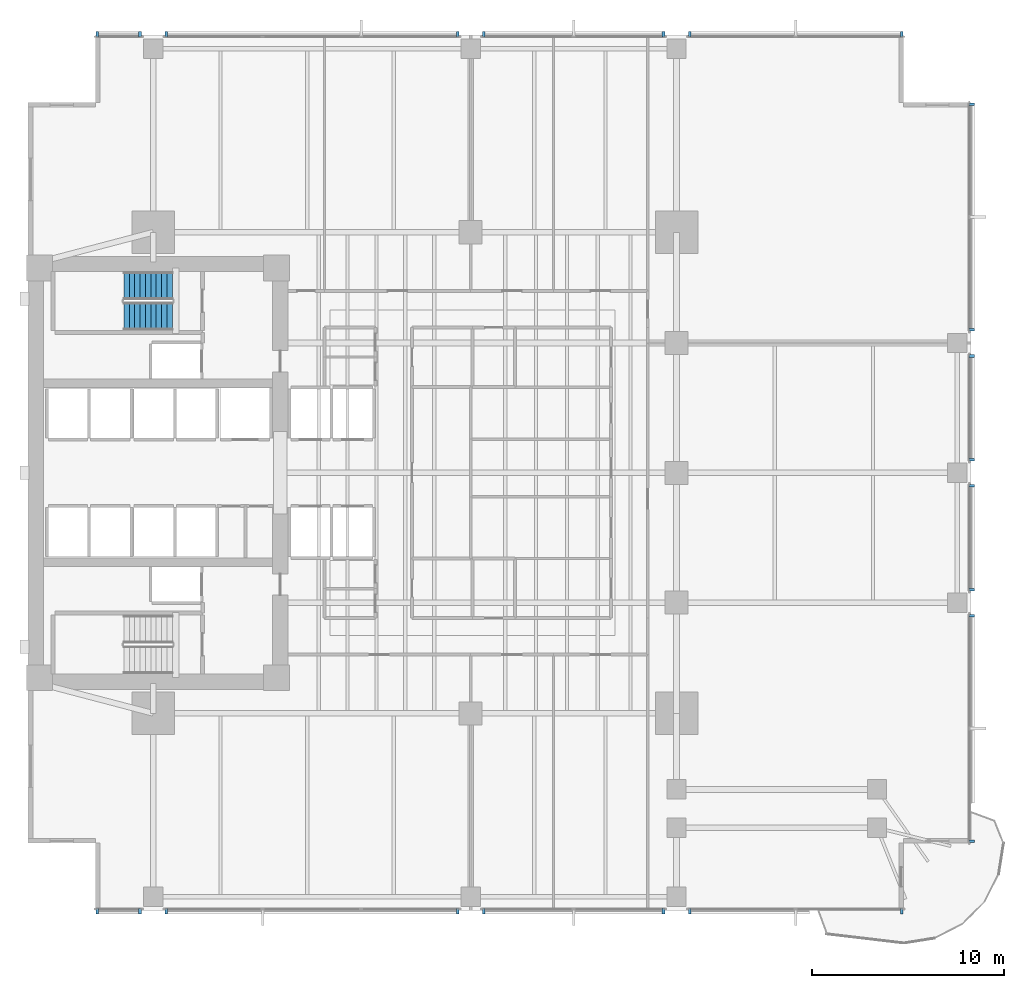
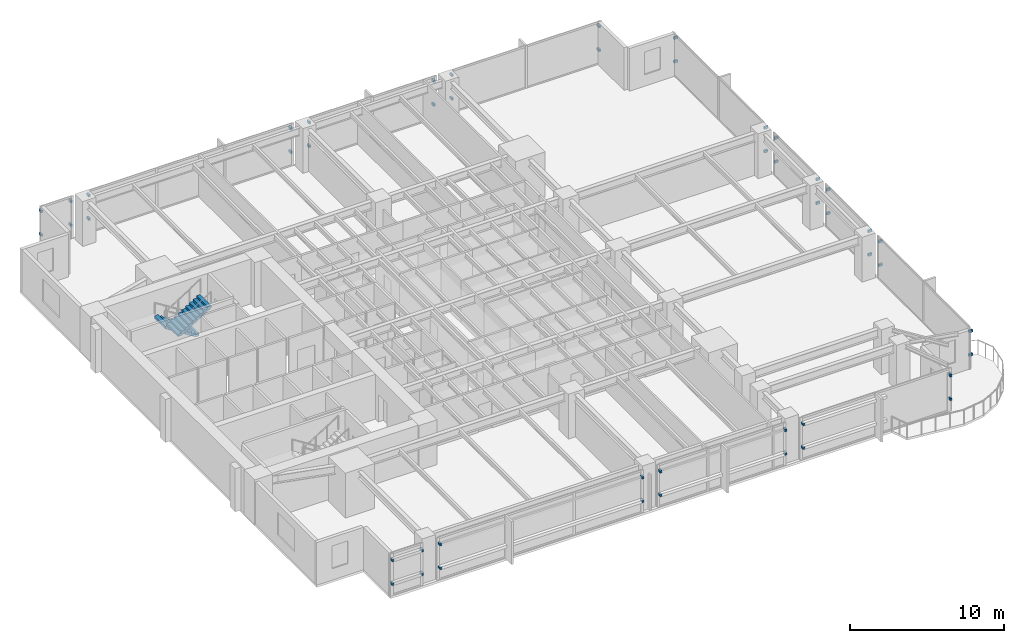
# One storey, part 11 of 15: 48 discrete accessories, 2 stair flights, 1 element without a shape of its own.
"""IFC4 building model written with IfcOpenShell, lengths in metres."""

import ifcopenshell
import ifcopenshell.guid

model = None  # the IFC model being written
_history = None  # IfcOwnerHistory: only IFC2X3 demands one
_inside = {}  # id of a spatial element -> (the spatial element, [elements in it])
_under = {}  # id of a project, library or spatial element -> (it, [spatial elements below it])
_declared = {}  # id of a project -> (the project, [libraries it declares])
_typed = {}  # id of a type object -> (the type object, [elements of that type])
_made_of = {}  # id of a material, layer set ... -> (it, [elements and type objects made of it])


def new_model(schema):
    """Start an empty IFC model of exactly this schema.

    Asked for "IFC4X3", IfcOpenShell would pick the latest addendum, in which some entities
    have other attributes; the version numbers below select the first issue.
    IFC2X3 requires an IfcOwnerHistory on every rooted entity: one is made here for all.
    """
    global model, _history
    if schema == "IFC4X3":
        model = ifcopenshell.file(schema_version=(4, 3, 0, 0))
    else:
        model = ifcopenshell.file(schema=schema)
    _inside.clear()
    _under.clear()
    _declared.clear()
    _typed.clear()
    _made_of.clear()
    _history = None
    if model.schema == "IFC2X3":
        org = make("IfcOrganization", Name="unknown")
        user = make(
            "IfcPersonAndOrganization",
            ThePerson=make("IfcPerson", FamilyName="unknown"),
            TheOrganization=org,
        )
        app = make(
            "IfcApplication",
            ApplicationDeveloper=org,
            Version="unknown",
            ApplicationFullName="unknown",
            ApplicationIdentifier="unknown",
        )
        _history = make(
            "IfcOwnerHistory",
            OwningUser=user,
            OwningApplication=app,
            ChangeAction="ADDED",
            CreationDate=0,
        )
    return model


def make(cls, **values):
    """One entity of the class cls with the attributes given. An attribute that is None is left unset."""
    return model.create_entity(
        cls, **{name: value for name, value in values.items() if value is not None}
    )


def rooted(cls, **values):
    """An entity with a GlobalId (a new one), such as an element, a storey or a relation."""
    return make(cls, GlobalId=ifcopenshell.guid.new(), OwnerHistory=_history, **values)


def si_unit(unit_type, name, prefix=None):
    """IfcSIUnit, for example si_unit("LENGTHUNIT", "METRE", prefix="MILLI")."""
    return make("IfcSIUnit", UnitType=unit_type, Prefix=prefix, Name=name)


def assignment(units):
    """IfcUnitAssignment: the units of a project."""
    return None if units is None else make("IfcUnitAssignment", Units=units)


def point(xyz):
    """IfcCartesianPoint."""
    return None if xyz is None else make("IfcCartesianPoint", Coordinates=xyz)


def direction(xyz):
    """IfcDirection."""
    return None if xyz is None else make("IfcDirection", DirectionRatios=xyz)


def frame(location, z_axis=None, x_axis=None):
    """IfcAxis2Placement3D, a coordinate frame: its origin and axes. An axis left out is left unset."""
    return make(
        "IfcAxis2Placement3D",
        Location=point(location),
        Axis=direction(z_axis),
        RefDirection=direction(x_axis),
    )


def frame_2d(location, x_axis=None):
    """IfcAxis2Placement2D, a coordinate frame in the plane: its origin and x axis."""
    return make(
        "IfcAxis2Placement2D", Location=point(location), RefDirection=direction(x_axis)
    )


def origin():
    """The frame at (0, 0, 0) with its axes left unset."""
    return frame((0.0, 0.0, 0.0))


def origin_2d():
    """The frame at (0, 0) in the plane with its x axis left unset."""
    return frame_2d((0.0, 0.0))


def place(relative_to, where):
    """IfcLocalPlacement: puts the frame where relative to a parent placement (None: the world)."""
    return make(
        "IfcLocalPlacement", PlacementRelTo=relative_to, RelativePlacement=where
    )


def context(
    kind, dimensions, precision=None, world=None, true_north=None, identifier=None
):
    """IfcGeometricRepresentationContext, for example the 3D "Model" context."""
    return make(
        "IfcGeometricRepresentationContext",
        ContextIdentifier=identifier,
        ContextType=kind,
        CoordinateSpaceDimension=dimensions,
        Precision=precision,
        WorldCoordinateSystem=world,
        TrueNorth=true_north,
    )


def subcontext(parent, identifier, kind, view, scale=None):
    """IfcGeometricRepresentationSubContext, for example "Body" below "Model"."""
    return make(
        "IfcGeometricRepresentationSubContext",
        ContextIdentifier=identifier,
        ContextType=kind,
        ParentContext=parent,
        TargetScale=scale,
        TargetView=view,
    )


def project(units=None, contexts=None):
    """IfcProject with its units and contexts."""
    return rooted(
        "IfcProject",
        Name="project",
        RepresentationContexts=contexts,
        UnitsInContext=assignment(units),
    )


def spatial(cls, under=None, at=None, **own):
    """A site, building, storey or space (cls), placed at a placement, below another one or the project."""
    s = rooted(cls, ObjectPlacement=at, **own)
    if under is not None:
        _under.setdefault(under.id(), (under, []))[1].append(s)
    return s


def polyline(points):
    """IfcPolyline through the points."""
    return make("IfcPolyline", Points=[point(p) for p in points])


def profile(cls, at=None, kind="AREA", **sizes):
    """A parametric profile (cls). Its sizes go by their IFC names, for example OverallWidth=200.0."""
    return make(cls, ProfileType=kind, Position=at, **sizes)


def rectangle(**sizes):
    """IfcRectangleProfileDef."""
    return profile("IfcRectangleProfileDef", **sizes)


def outline(outer, holes=None, kind="AREA"):
    """IfcArbitraryClosedProfileDef: a profile drawn as a closed curve; with holes, ...WithVoids."""
    if holes is None:
        return make("IfcArbitraryClosedProfileDef", ProfileType=kind, OuterCurve=outer)
    return make(
        "IfcArbitraryProfileDefWithVoids",
        ProfileType=kind,
        OuterCurve=outer,
        InnerCurves=holes,
    )


def extrude(swept, where, along, depth):
    """IfcExtrudedAreaSolid: the profile swept, set in the frame where, extruded along a direction by depth."""
    return make(
        "IfcExtrudedAreaSolid",
        SweptArea=swept,
        Position=where,
        ExtrudedDirection=direction(along),
        Depth=depth,
    )


def shape(context_of_items, identifier, shape_type, items):
    """IfcShapeRepresentation: the items that make up one representation, for example the "Body"."""
    return make(
        "IfcShapeRepresentation",
        ContextOfItems=context_of_items,
        RepresentationIdentifier=identifier,
        RepresentationType=shape_type,
        Items=items,
    )


def material(Name=None, Category=None):
    """IfcMaterial."""
    return make("IfcMaterial", Name=Name, Category=Category)


def made_of(thing, what):
    """Note that an element or type object is made of a material, layer set ...; save() writes the relation."""
    if what is not None:
        _made_of.setdefault(what.id(), (what, []))[1].append(thing)
    return thing


def type_object(cls, material=None, **own):
    """A type object (cls), such as IfcWallType, which elements share."""
    return made_of(rooted(cls, **own), material)


def element(
    cls,
    number,
    at=None,
    inside=None,
    cuts=None,
    type_object=None,
    material=None,
    context=None,
    identifier="Body",
    shape_type=None,
    held_by="IfcProductDefinitionShape",
    body=None,
    shapes=None,
    **own,
):
    """One element of the class cls, such as IfcWall. Its Tag is "e" and its number.

    at: its placement. inside: the storey or other place that contains it. cuts: it is an
    opening in that element (IfcRelVoidsElement). A single representation is given by context,
    identifier, shape_type and body (its items); several are given by shapes. held_by: the class
    of the entity that holds the representations. save() writes the other relations.
    """
    e = rooted(cls, Tag="e%d" % number, ObjectPlacement=at, **own)
    if body is not None:
        shapes = [shape(context, identifier, shape_type, body)]
    if shapes is not None:
        e.Representation = make(held_by, Representations=shapes)
    if inside is not None:
        _inside.setdefault(inside.id(), (inside, []))[1].append(e)
    if cuts is not None:
        rooted(
            "IfcRelVoidsElement", RelatingBuildingElement=cuts, RelatedOpeningElement=e
        )
    if type_object is not None:
        _typed.setdefault(type_object.id(), (type_object, []))[1].append(e)
    return made_of(e, material)


def aggregate(whole, parts):
    """IfcRelAggregates: a whole, such as a stair, and the parts it consists of."""
    return rooted("IfcRelAggregates", RelatingObject=whole, RelatedObjects=parts)


def save(model, path):
    """Write the relations noted so far, then the file.

    IfcRelAggregates (storeys below a building ...), IfcRelContainedInSpatialStructure (elements
    in a storey), IfcRelDefinesByType, IfcRelAssociatesMaterial and IfcRelDeclares: one each for
    every whole, place, type object, material and project.
    """
    for whole, parts in _under.values():
        aggregate(whole, parts)
    for where, things in _inside.values():
        rooted(
            "IfcRelContainedInSpatialStructure",
            RelatedElements=things,
            RelatingStructure=where,
        )
    for kind, things in _typed.values():
        rooted("IfcRelDefinesByType", RelatedObjects=things, RelatingType=kind)
    for what, things in _made_of.values():
        rooted("IfcRelAssociatesMaterial", RelatedObjects=things, RelatingMaterial=what)
    for by, libraries in _declared.values():
        rooted("IfcRelDeclares", RelatingContext=by, RelatedDefinitions=libraries)
    model.write(path)


model = new_model("IFC4")

# Units and contexts
model_context = context("Model", 3, precision=1e-05, world=origin(), true_north=direction((0.0, 1.0)))
body_context = subcontext(model_context, "Body", "Model", "MODEL_VIEW")
ifc_project = project(units=[si_unit("LENGTHUNIT", "METRE"), si_unit("AREAUNIT", "SQUARE_METRE"), si_unit("VOLUMEUNIT", "CUBIC_METRE"), si_unit("PLANEANGLEUNIT", "RADIAN"), si_unit("MASSUNIT", "GRAM", prefix="KILO")], contexts=[model_context])

# Site, building, storey
site_placement = place(None, origin())
site = spatial("IfcSite", under=ifc_project, at=site_placement, CompositionType="ELEMENT")
building_placement = place(site_placement, origin())
building = spatial("IfcBuilding", under=site, at=building_placement, Name="Kinhvarn Gate Tower", CompositionType="ELEMENT")
storey_placement = place(building_placement, frame((0.0, 0.0, 68.199951171875)))
storey = spatial("IfcBuildingStorey", under=building, at=storey_placement, Name="L17", CompositionType="ELEMENT", Elevation=68.199951171875)

# Stair, stair flights
ifc_material_1 = material(Name="Concrete C40/50", Category="concrete")
stair_type = type_object("IfcStairType", Name="STR-DLG-177", PredefinedType="HALF_TURN_STAIR", material=ifc_material_1)
stair_placement = place(storey_placement, origin())
stair = element("IfcStair", 1, at=stair_placement, inside=storey, type_object=stair_type, Name="L17 Core Smokeproof Exit Stair ST2", PredefinedType="HALF_TURN_STAIR")
stair_flight_type = type_object("IfcStairFlightType", Name="STF-DLG-177", PredefinedType="STRAIGHT", material=ifc_material_1)
stair_flight_1_placement = place(storey_placement, frame((12.0, 34.97509765625, 0.0), z_axis=(0.0, 0.0, 1.0), x_axis=(-1.0, 0.0, 0.0)))
stair_flight_1 = element("IfcStairFlight", 2, at=stair_flight_1_placement, type_object=stair_flight_type, Name="ST2 flight 1", NumberOfRisers=10, NumberOfTreads=9, PredefinedType="STRAIGHT", RiserHeight=0.1775, TreadLength=0.28, context=body_context, shape_type="SweptSolid", body=[
    extrude(outline(polyline([(0.0, 0.0), (0.0, 0.177490234375), (0.280029296875, 0.177490234375), (0.280029296875, 0.35498046875), (0.56005859375, 0.35498046875), (0.56005859375, 0.532470703125), (0.840087890625, 0.532470703125), (0.840087890625, 0.7099609375), (1.1201171875, 0.7099609375), (1.1201171875, 0.887451171875), (1.39990234375, 0.887451171875), (1.39990234375, 1.06494140625), (1.679931640625, 1.06494140625), (1.679931640625, 1.242431640625), (1.9599609375, 1.242431640625), (1.9599609375, 1.419921875), (2.239990234375, 1.419921875), (2.239990234375, 1.597412109375), (2.52001953125, 1.597412109375), (2.52001953125, 1.77490234375), (2.52001953125, 1.419921875), (0.280029296875, 0.0), (0.0, 0.0)])), frame((0.0, 0.72509765625, 0.0), z_axis=(0.0, -1.0, 0.0), x_axis=(1.0, 0.0, 0.0)), (0.0, 0.0, 1.0), 1.449951171875),
])
stair_flight_2_placement = place(storey_placement, frame((9.47998046875, 33.375, 1.775146484375), z_axis=(0.0, 0.0, 1.0), x_axis=(1.0, 0.0, 0.0)))
stair_flight_2 = element("IfcStairFlight", 3, at=stair_flight_2_placement, type_object=stair_flight_type, Name="ST2 flight 2", NumberOfRisers=10, NumberOfTreads=9, PredefinedType="STRAIGHT", RiserHeight=0.1775, TreadLength=0.28, context=body_context, shape_type="SweptSolid", body=[
    extrude(outline(polyline([(0.0, 0.0), (0.0, 0.177490234375), (0.280029296875, 0.177490234375), (0.280029296875, 0.35498046875), (0.56005859375, 0.35498046875), (0.56005859375, 0.532470703125), (0.840087890625, 0.532470703125), (0.840087890625, 0.7099609375), (1.1201171875, 0.7099609375), (1.1201171875, 0.887451171875), (1.39990234375, 0.887451171875), (1.39990234375, 1.06494140625), (1.679931640625, 1.06494140625), (1.679931640625, 1.242431640625), (1.9599609375, 1.242431640625), (1.9599609375, 1.419921875), (2.239990234375, 1.419921875), (2.239990234375, 1.597412109375), (2.52001953125, 1.597412109375), (2.52001953125, 1.77490234375), (2.52001953125, 1.419921875), (0.280029296875, 0.0), (0.0, 0.0)])), frame((0.0, 0.72509765625, 0.0), z_axis=(0.0, -1.0, 0.0), x_axis=(1.0, 0.0, 0.0)), (0.0, 0.0, 1.0), 1.449951171875),
])
aggregate(stair, [stair_flight_1, stair_flight_2])

# Discrete accessories
ifc_material_2 = material(Name="Anodised aluminium AW-6063", Category="aluminium")
discrete_accessory_type = type_object("IfcDiscreteAccessoryType", Name="ACC-BRK-01", PredefinedType="BRACKET", material=ifc_material_2)
for number, where, z_axis, x_axis, name in (
    (4, (8.10009765625, 2.4599609375, 0.9599609375), (0.0, 0.0, 1.0), (1.0, 0.0, 0.0), "Baguette Support Bracket BK-01 (L17)"),
    (5, (8.10009765625, 2.4599609375, 2.830078125), (0.0, 0.0, 1.0), (1.0, 0.0, 0.0), "Baguette Support Bracket BK-01 (L17)"),
    (6, (10.320068359375, 2.4599609375, 0.9599609375), (0.0, 0.0, 1.0), (1.0, 0.0, 0.0), "Baguette Support Bracket BK-01 (L17)"),
    (7, (10.320068359375, 2.4599609375, 2.830078125), (0.0, 0.0, 1.0), (1.0, 0.0, 0.0), "Baguette Support Bracket BK-01 (L17)"),
    (8, (11.679931640625, 2.4599609375, 0.9599609375), (0.0, 0.0, 1.0), (1.0, 0.0, 0.0), "Baguette Support Bracket BK-01 (L17)"),
    (9, (11.679931640625, 2.4599609375, 2.830078125), (0.0, 0.0, 1.0), (1.0, 0.0, 0.0), "Baguette Support Bracket BK-01 (L17)"),
    (10, (26.820068359375, 2.4599609375, 0.9599609375), (0.0, 0.0, 1.0), (1.0, 0.0, 0.0), "Baguette Support Bracket BK-01 (L17)"),
    (11, (26.820068359375, 2.4599609375, 2.830078125), (0.0, 0.0, 1.0), (1.0, 0.0, 0.0), "Baguette Support Bracket BK-01 (L17)"),
    (12, (28.179931640625, 2.4599609375, 0.9599609375), (0.0, 0.0, 1.0), (1.0, 0.0, 0.0), "Baguette Support Bracket BK-01 (L17)"),
    (13, (28.179931640625, 2.4599609375, 2.830078125), (0.0, 0.0, 1.0), (1.0, 0.0, 0.0), "Baguette Support Bracket BK-01 (L17)"),
    (14, (37.52001953125, 2.4599609375, 0.9599609375), (0.0, 0.0, 1.0), (1.0, 0.0, 0.0), "Baguette Support Bracket BK-01 (L17)"),
    (15, (37.52001953125, 2.4599609375, 2.830078125), (0.0, 0.0, 1.0), (1.0, 0.0, 0.0), "Baguette Support Bracket BK-01 (L17)"),
    (16, (38.8798828125, 2.4599609375, 0.9599609375), (0.0, 0.0, 1.0), (1.0, 0.0, 0.0), "Baguette Support Bracket BK-01 (L17)"),
    (17, (38.8798828125, 2.4599609375, 2.830078125), (0.0, 0.0, 1.0), (1.0, 0.0, 0.0), "Baguette Support Bracket BK-01 (L17)"),
    (18, (49.89990234375, 2.4599609375, 0.9599609375), (0.0, 0.0, 1.0), (1.0, 0.0, 0.0), "Baguette Support Bracket BK-01 (L17)"),
    (19, (49.89990234375, 2.4599609375, 2.830078125), (0.0, 0.0, 1.0), (1.0, 0.0, 0.0), "Baguette Support Bracket BK-01 (L17)"),
    (20, (49.89990234375, 48.0400390625, 0.9599609375), (0.0, 0.0, 1.0), (-1.0, 0.0, 0.0), "Baguette Support Bracket BK-01 (L17)"),
    (21, (49.89990234375, 48.0400390625, 2.830078125), (0.0, 0.0, 1.0), (-1.0, 0.0, 0.0), "Baguette Support Bracket BK-01 (L17)"),
    (22, (38.8798828125, 48.0400390625, 0.9599609375), (0.0, 0.0, 1.0), (-1.0, 0.0, 0.0), "Baguette Support Bracket BK-01 (L17)"),
    (23, (38.8798828125, 48.0400390625, 2.830078125), (0.0, 0.0, 1.0), (-1.0, 0.0, 0.0), "Baguette Support Bracket BK-01 (L17)"),
    (24, (37.52001953125, 48.0400390625, 0.9599609375), (0.0, 0.0, 1.0), (-1.0, 0.0, 0.0), "Baguette Support Bracket BK-01 (L17)"),
    (25, (37.52001953125, 48.0400390625, 2.830078125), (0.0, 0.0, 1.0), (-1.0, 0.0, 0.0), "Baguette Support Bracket BK-01 (L17)"),
    (26, (28.179931640625, 48.0400390625, 0.9599609375), (0.0, 0.0, 1.0), (-1.0, 0.0, 0.0), "Baguette Support Bracket BK-01 (L17)"),
    (27, (28.179931640625, 48.0400390625, 2.830078125), (0.0, 0.0, 1.0), (-1.0, 0.0, 0.0), "Baguette Support Bracket BK-01 (L17)"),
    (28, (26.820068359375, 48.0400390625, 0.9599609375), (0.0, 0.0, 1.0), (-1.0, 0.0, 0.0), "Baguette Support Bracket BK-01 (L17)"),
    (29, (26.820068359375, 48.0400390625, 2.830078125), (0.0, 0.0, 1.0), (-1.0, 0.0, 0.0), "Baguette Support Bracket BK-01 (L17)"),
    (30, (11.679931640625, 48.0400390625, 0.9599609375), (0.0, 0.0, 1.0), (-1.0, 0.0, 0.0), "Baguette Support Bracket BK-01 (L17)"),
    (31, (11.679931640625, 48.0400390625, 2.830078125), (0.0, 0.0, 1.0), (-1.0, 0.0, 0.0), "Baguette Support Bracket BK-01 (L17)"),
    (32, (10.320068359375, 48.0400390625, 0.9599609375), (0.0, 0.0, 1.0), (-1.0, 0.0, 0.0), "Baguette Support Bracket BK-01 (L17)"),
    (33, (10.320068359375, 48.0400390625, 2.830078125), (0.0, 0.0, 1.0), (-1.0, 0.0, 0.0), "Baguette Support Bracket BK-01 (L17)"),
    (34, (8.10009765625, 48.0400390625, 0.9599609375), (0.0, 0.0, 1.0), (-1.0, 0.0, 0.0), "Baguette Support Bracket BK-01 (L17)"),
    (35, (8.10009765625, 48.0400390625, 2.830078125), (0.0, 0.0, 1.0), (-1.0, 0.0, 0.0), "Baguette Support Bracket BK-01 (L17)"),
    (36, (53.5400390625, 6.10009765625, 0.9599609375), (0.0, 0.0, 1.0), (0.0, 1.0, 0.0), "Baguette Support Bracket BK-01 (L17)"),
    (37, (53.5400390625, 6.10009765625, 2.830078125), (0.0, 0.0, 1.0), (0.0, 1.0, 0.0), "Baguette Support Bracket BK-01 (L17)"),
    (38, (53.5400390625, 17.820068359375, 0.9599609375), (0.0, 0.0, 1.0), (0.0, 1.0, 0.0), "Baguette Support Bracket BK-01 (L17)"),
    (39, (53.5400390625, 17.820068359375, 2.830078125), (0.0, 0.0, 1.0), (0.0, 1.0, 0.0), "Baguette Support Bracket BK-01 (L17)"),
    (40, (53.5400390625, 19.179931640625, 0.9599609375), (0.0, 0.0, 1.0), (0.0, 1.0, 0.0), "Baguette Support Bracket BK-01 (L17)"),
    (41, (53.5400390625, 19.179931640625, 2.830078125), (0.0, 0.0, 1.0), (0.0, 1.0, 0.0), "Baguette Support Bracket BK-01 (L17)"),
    (42, (53.5400390625, 24.570068359375, 0.9599609375), (0.0, 0.0, 1.0), (0.0, 1.0, 0.0), "Baguette Support Bracket BK-01 (L17)"),
    (43, (53.5400390625, 24.570068359375, 2.830078125), (0.0, 0.0, 1.0), (0.0, 1.0, 0.0), "Baguette Support Bracket BK-01 (L17)"),
    (44, (53.5400390625, 25.929931640625, 0.9599609375), (0.0, 0.0, 1.0), (0.0, 1.0, 0.0), "Baguette Support Bracket BK-01 (L17)"),
    (45, (53.5400390625, 25.929931640625, 2.830078125), (0.0, 0.0, 1.0), (0.0, 1.0, 0.0), "Baguette Support Bracket BK-01 (L17)"),
    (46, (53.5400390625, 31.320068359375, 0.9599609375), (0.0, 0.0, 1.0), (0.0, 1.0, 0.0), "Baguette Support Bracket BK-01 (L17)"),
    (47, (53.5400390625, 31.320068359375, 2.830078125), (0.0, 0.0, 1.0), (0.0, 1.0, 0.0), "Baguette Support Bracket BK-01 (L17)"),
    (48, (53.5400390625, 32.679931640625, 0.9599609375), (0.0, 0.0, 1.0), (0.0, 1.0, 0.0), "Baguette Support Bracket BK-01 (L17)"),
    (49, (53.5400390625, 32.679931640625, 2.830078125), (0.0, 0.0, 1.0), (0.0, 1.0, 0.0), "Baguette Support Bracket BK-01 (L17)"),
    (50, (53.5400390625, 44.39990234375, 0.9599609375), (0.0, 0.0, 1.0), (0.0, 1.0, 0.0), "Baguette Support Bracket BK-01 (L17)"),
    (51, (53.5400390625, 44.39990234375, 2.830078125), (0.0, 0.0, 1.0), (0.0, 1.0, 0.0), "Baguette Support Bracket BK-01 (L17)"),
):
    element("IfcDiscreteAccessory", number, at=place(storey_placement, frame(where, z_axis=z_axis, x_axis=x_axis)), inside=storey, type_object=discrete_accessory_type, Name=name, PredefinedType="BRACKET", context=body_context, shape_type="SweptSolid", body=[
        extrude(rectangle(XDim=0.139892578125, YDim=0.280029296875, at=origin_2d()), origin(), (0.0, 0.0, 1.0), 0.179931640625),
    ])

save(model, "model.ifc")
